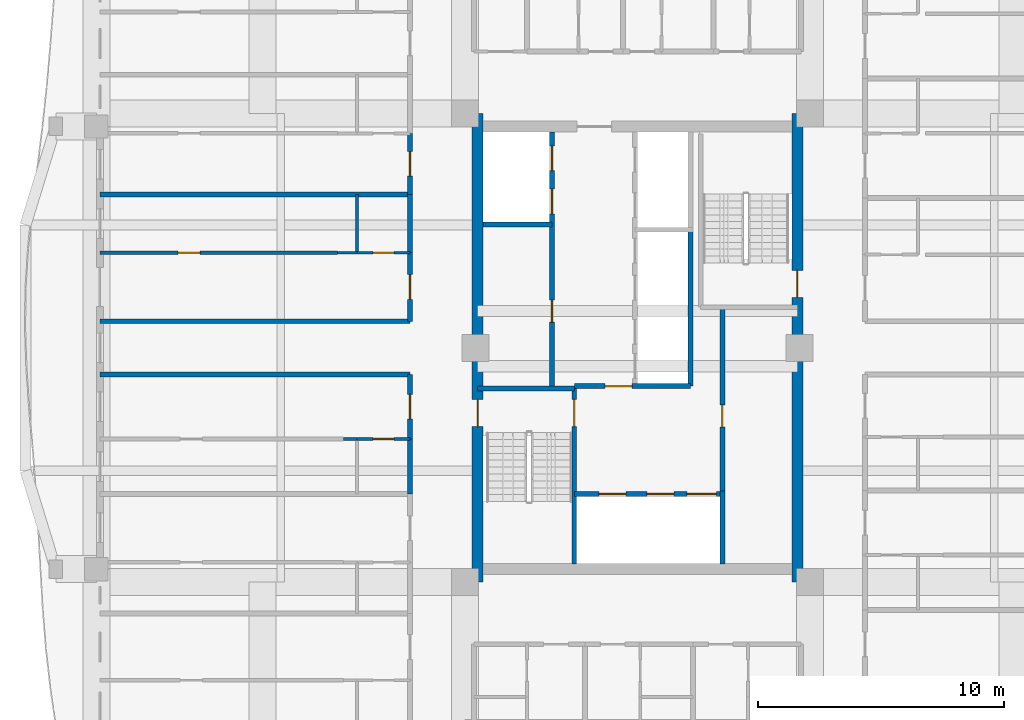
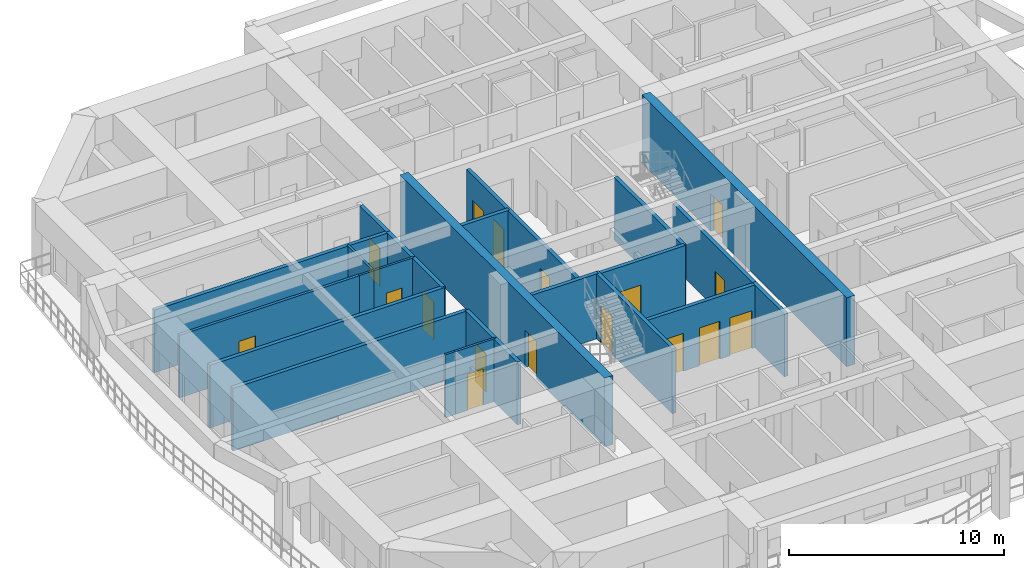
# One storey, part 4 of 15: 25 walls, 17 doors, 17 openings.
"""IFC4 building model written with IfcOpenShell, lengths in metres."""

import ifcopenshell
import ifcopenshell.guid

model = None  # the IFC model being written
_history = None  # IfcOwnerHistory: only IFC2X3 demands one
_inside = {}  # id of a spatial element -> (the spatial element, [elements in it])
_under = {}  # id of a project, library or spatial element -> (it, [spatial elements below it])
_declared = {}  # id of a project -> (the project, [libraries it declares])
_typed = {}  # id of a type object -> (the type object, [elements of that type])
_made_of = {}  # id of a material, layer set ... -> (it, [elements and type objects made of it])


def new_model(schema):
    """Start an empty IFC model of exactly this schema.

    Asked for "IFC4X3", IfcOpenShell would pick the latest addendum, in which some entities
    have other attributes; the version numbers below select the first issue.
    IFC2X3 requires an IfcOwnerHistory on every rooted entity: one is made here for all.
    """
    global model, _history
    if schema == "IFC4X3":
        model = ifcopenshell.file(schema_version=(4, 3, 0, 0))
    else:
        model = ifcopenshell.file(schema=schema)
    _inside.clear()
    _under.clear()
    _declared.clear()
    _typed.clear()
    _made_of.clear()
    _history = None
    if model.schema == "IFC2X3":
        org = make("IfcOrganization", Name="unknown")
        user = make(
            "IfcPersonAndOrganization",
            ThePerson=make("IfcPerson", FamilyName="unknown"),
            TheOrganization=org,
        )
        app = make(
            "IfcApplication",
            ApplicationDeveloper=org,
            Version="unknown",
            ApplicationFullName="unknown",
            ApplicationIdentifier="unknown",
        )
        _history = make(
            "IfcOwnerHistory",
            OwningUser=user,
            OwningApplication=app,
            ChangeAction="ADDED",
            CreationDate=0,
        )
    return model


def make(cls, **values):
    """One entity of the class cls with the attributes given. An attribute that is None is left unset."""
    return model.create_entity(
        cls, **{name: value for name, value in values.items() if value is not None}
    )


def rooted(cls, **values):
    """An entity with a GlobalId (a new one), such as an element, a storey or a relation."""
    return make(cls, GlobalId=ifcopenshell.guid.new(), OwnerHistory=_history, **values)


def si_unit(unit_type, name, prefix=None):
    """IfcSIUnit, for example si_unit("LENGTHUNIT", "METRE", prefix="MILLI")."""
    return make("IfcSIUnit", UnitType=unit_type, Prefix=prefix, Name=name)


def assignment(units):
    """IfcUnitAssignment: the units of a project."""
    return None if units is None else make("IfcUnitAssignment", Units=units)


def point(xyz):
    """IfcCartesianPoint."""
    return None if xyz is None else make("IfcCartesianPoint", Coordinates=xyz)


def direction(xyz):
    """IfcDirection."""
    return None if xyz is None else make("IfcDirection", DirectionRatios=xyz)


def frame(location, z_axis=None, x_axis=None):
    """IfcAxis2Placement3D, a coordinate frame: its origin and axes. An axis left out is left unset."""
    return make(
        "IfcAxis2Placement3D",
        Location=point(location),
        Axis=direction(z_axis),
        RefDirection=direction(x_axis),
    )


def frame_2d(location, x_axis=None):
    """IfcAxis2Placement2D, a coordinate frame in the plane: its origin and x axis."""
    return make(
        "IfcAxis2Placement2D", Location=point(location), RefDirection=direction(x_axis)
    )


def origin():
    """The frame at (0, 0, 0) with its axes left unset."""
    return frame((0.0, 0.0, 0.0))


def place(relative_to, where):
    """IfcLocalPlacement: puts the frame where relative to a parent placement (None: the world)."""
    return make(
        "IfcLocalPlacement", PlacementRelTo=relative_to, RelativePlacement=where
    )


def context(
    kind, dimensions, precision=None, world=None, true_north=None, identifier=None
):
    """IfcGeometricRepresentationContext, for example the 3D "Model" context."""
    return make(
        "IfcGeometricRepresentationContext",
        ContextIdentifier=identifier,
        ContextType=kind,
        CoordinateSpaceDimension=dimensions,
        Precision=precision,
        WorldCoordinateSystem=world,
        TrueNorth=true_north,
    )


def subcontext(parent, identifier, kind, view, scale=None):
    """IfcGeometricRepresentationSubContext, for example "Body" below "Model"."""
    return make(
        "IfcGeometricRepresentationSubContext",
        ContextIdentifier=identifier,
        ContextType=kind,
        ParentContext=parent,
        TargetScale=scale,
        TargetView=view,
    )


def project(units=None, contexts=None):
    """IfcProject with its units and contexts."""
    return rooted(
        "IfcProject",
        Name="project",
        RepresentationContexts=contexts,
        UnitsInContext=assignment(units),
    )


def spatial(cls, under=None, at=None, **own):
    """A site, building, storey or space (cls), placed at a placement, below another one or the project."""
    s = rooted(cls, ObjectPlacement=at, **own)
    if under is not None:
        _under.setdefault(under.id(), (under, []))[1].append(s)
    return s


def profile(cls, at=None, kind="AREA", **sizes):
    """A parametric profile (cls). Its sizes go by their IFC names, for example OverallWidth=200.0."""
    return make(cls, ProfileType=kind, Position=at, **sizes)


def rectangle(**sizes):
    """IfcRectangleProfileDef."""
    return profile("IfcRectangleProfileDef", **sizes)


def extrude(swept, where, along, depth):
    """IfcExtrudedAreaSolid: the profile swept, set in the frame where, extruded along a direction by depth."""
    return make(
        "IfcExtrudedAreaSolid",
        SweptArea=swept,
        Position=where,
        ExtrudedDirection=direction(along),
        Depth=depth,
    )


def shape(context_of_items, identifier, shape_type, items):
    """IfcShapeRepresentation: the items that make up one representation, for example the "Body"."""
    return make(
        "IfcShapeRepresentation",
        ContextOfItems=context_of_items,
        RepresentationIdentifier=identifier,
        RepresentationType=shape_type,
        Items=items,
    )


def source(mapping_origin, context_of_items, identifier, shape_type, items):
    """IfcRepresentationMap: a shape defined once, which mapped items show again and again."""
    return make(
        "IfcRepresentationMap",
        MappingOrigin=mapping_origin,
        MappedRepresentation=shape(context_of_items, identifier, shape_type, items),
    )


def transform(
    local_origin,
    x_axis=None,
    y_axis=None,
    z_axis=None,
    scale=None,
    scale2=None,
    scale3=None,
    uniform=True,
):
    """IfcCartesianTransformationOperator3D, or its non-uniform kind. x_axis, y_axis, z_axis: its Axis1, 2, 3."""
    if uniform:
        return make(
            "IfcCartesianTransformationOperator3D",
            Axis1=direction(x_axis),
            Axis2=direction(y_axis),
            LocalOrigin=point(local_origin),
            Scale=scale,
            Axis3=direction(z_axis),
        )
    return make(
        "IfcCartesianTransformationOperator3DnonUniform",
        Axis1=direction(x_axis),
        Axis2=direction(y_axis),
        LocalOrigin=point(local_origin),
        Scale=scale,
        Axis3=direction(z_axis),
        Scale2=scale2,
        Scale3=scale3,
    )


def mapped(mapping_source, mapping_target):
    """IfcMappedItem: shows the shape of a source again, moved by a transform."""
    return make(
        "IfcMappedItem", MappingSource=mapping_source, MappingTarget=mapping_target
    )


def material(Name=None, Category=None):
    """IfcMaterial."""
    return make("IfcMaterial", Name=Name, Category=Category)


def layer(
    of_material, thickness, ventilated=None, Name=None, Category=None, Priority=None
):
    """IfcMaterialLayer: one layer of a wall or slab, of a material (None: an air gap)."""
    return make(
        "IfcMaterialLayer",
        Material=of_material,
        LayerThickness=thickness,
        IsVentilated=ventilated,
        Name=Name,
        Category=Category,
        Priority=Priority,
    )


def layer_set(layers, Name=None):
    """IfcMaterialLayerSet."""
    return make("IfcMaterialLayerSet", MaterialLayers=layers, LayerSetName=Name)


def made_of(thing, what):
    """Note that an element or type object is made of a material, layer set ...; save() writes the relation."""
    if what is not None:
        _made_of.setdefault(what.id(), (what, []))[1].append(thing)
    return thing


def type_object(cls, material=None, **own):
    """A type object (cls), such as IfcWallType, which elements share."""
    return made_of(rooted(cls, **own), material)


def element(
    cls,
    number,
    at=None,
    inside=None,
    cuts=None,
    type_object=None,
    material=None,
    context=None,
    identifier="Body",
    shape_type=None,
    held_by="IfcProductDefinitionShape",
    body=None,
    shapes=None,
    **own,
):
    """One element of the class cls, such as IfcWall. Its Tag is "e" and its number.

    at: its placement. inside: the storey or other place that contains it. cuts: it is an
    opening in that element (IfcRelVoidsElement). A single representation is given by context,
    identifier, shape_type and body (its items); several are given by shapes. held_by: the class
    of the entity that holds the representations. save() writes the other relations.
    """
    e = rooted(cls, Tag="e%d" % number, ObjectPlacement=at, **own)
    if body is not None:
        shapes = [shape(context, identifier, shape_type, body)]
    if shapes is not None:
        e.Representation = make(held_by, Representations=shapes)
    if inside is not None:
        _inside.setdefault(inside.id(), (inside, []))[1].append(e)
    if cuts is not None:
        rooted(
            "IfcRelVoidsElement", RelatingBuildingElement=cuts, RelatedOpeningElement=e
        )
    if type_object is not None:
        _typed.setdefault(type_object.id(), (type_object, []))[1].append(e)
    return made_of(e, material)


def fill(opening, filler):
    """IfcRelFillsElement: the door or window that sits in an opening."""
    return rooted(
        "IfcRelFillsElement",
        RelatingOpeningElement=opening,
        RelatedBuildingElement=filler,
    )


def aggregate(whole, parts):
    """IfcRelAggregates: a whole, such as a stair, and the parts it consists of."""
    return rooted("IfcRelAggregates", RelatingObject=whole, RelatedObjects=parts)


def save(model, path):
    """Write the relations noted so far, then the file.

    IfcRelAggregates (storeys below a building ...), IfcRelContainedInSpatialStructure (elements
    in a storey), IfcRelDefinesByType, IfcRelAssociatesMaterial and IfcRelDeclares: one each for
    every whole, place, type object, material and project.
    """
    for whole, parts in _under.values():
        aggregate(whole, parts)
    for where, things in _inside.values():
        rooted(
            "IfcRelContainedInSpatialStructure",
            RelatedElements=things,
            RelatingStructure=where,
        )
    for kind, things in _typed.values():
        rooted("IfcRelDefinesByType", RelatedObjects=things, RelatingType=kind)
    for what, things in _made_of.values():
        rooted("IfcRelAssociatesMaterial", RelatedObjects=things, RelatingMaterial=what)
    for by, libraries in _declared.values():
        rooted("IfcRelDeclares", RelatingContext=by, RelatedDefinitions=libraries)
    model.write(path)


model = new_model("IFC4")

# Units and contexts
model_context = context("Model", 3, precision=1e-05, world=origin(), true_north=direction((0.0, 1.0)))
body_context = subcontext(model_context, "Body", "Model", "MODEL_VIEW")
ifc_project = project(units=[si_unit("LENGTHUNIT", "METRE"), si_unit("AREAUNIT", "SQUARE_METRE"), si_unit("VOLUMEUNIT", "CUBIC_METRE"), si_unit("PLANEANGLEUNIT", "RADIAN"), si_unit("MASSUNIT", "GRAM", prefix="KILO")], contexts=[model_context])

# Site, building, storey
site_placement = place(None, origin())
site = spatial("IfcSite", under=ifc_project, at=site_placement, CompositionType="ELEMENT")
building_placement = place(site_placement, origin())
building = spatial("IfcBuilding", under=site, at=building_placement, Name="Saelheon Loggia Tower", CompositionType="ELEMENT")
storey_placement = place(building_placement, frame((0.0, 0.0, 169.0)))
storey = spatial("IfcBuildingStorey", under=building, at=storey_placement, Name="L53", CompositionType="ELEMENT", Elevation=169.0)

# Wall, opening, door
ifc_material_1 = material(Name="Concrete C45/55", Category="concrete")
ifc_layer_1 = layer(ifc_material_1, 0.449951171875)
ifc_layer_set_1 = layer_set([ifc_layer_1], Name="Concrete C45/55")
wall_type_1 = type_object("IfcWallType", Name="Wall_CoreShear_450", PredefinedType="SHEAR", material=ifc_layer_set_1)
wall_1_placement = place(storey_placement, frame((31.5, 17.47998046875, 0.0), z_axis=(0.0, 0.0, 1.0), x_axis=(0.0, 1.0, 0.0)))
wall_1 = element("IfcWall", 1, at=wall_1_placement, inside=storey, type_object=wall_type_1, Name="L53 Core Shear Wall West", PredefinedType="SHEAR", context=body_context, shape_type="SweptSolid", body=[
    extrude(rectangle(XDim=19.0400390625, YDim=0.449951171875, at=frame_2d((9.52001953125, 0.0))), origin(), (0.0, 0.0, 1.0), 3.89990234375),
])
opening_1_placement = place(wall_1_placement, frame((6.320068359375, 0.0, 0.0)))
opening_1 = element("IfcOpeningElement", 2, at=opening_1_placement, cuts=wall_1, Name="Opening D-FD2", PredefinedType="OPENING", context=body_context, shape_type="SweptSolid", body=[
    extrude(rectangle(XDim=1.10009765625, YDim=2.14990234375, at=frame_2d((0.550048828125, 1.074951171875))), frame((0.0, 0.237060546875, 0.0), z_axis=(0.0, -1.0, 0.0), x_axis=(1.0, 0.0, 0.0)), (0.0, 0.0, 1.0), 0.473876953125),
])
ifc_material_2 = material(Name="Galvanised Steel Fire Door", Category="steel")
door_type_1 = type_object("IfcDoorType", Name="Door_Fire_FD60_1100", OperationType="NOTDEFINED", PredefinedType="DOOR", material=ifc_material_2)
shared_shape_1 = source(origin(), body_context, "Body", "SweptSolid", [
    extrude(rectangle(XDim=1.10009765625, YDim=2.14990234375, at=frame_2d((0.550048828125, 1.074951171875))), frame((0.0, 0.02490234375, 0.0), z_axis=(0.0, -1.0, 0.0), x_axis=(1.0, 0.0, 0.0)), (0.0, 0.0, 1.0), 0.050048828125),
])
door_1_placement = place(opening_1_placement, origin())
door_1 = element("IfcDoor", 3, at=door_1_placement, inside=storey, type_object=door_type_1, Name="L53 Stair ST1 Corridor Door", OperationType="SINGLE_SWING_LEFT", OverallHeight=2.14990234375, OverallWidth=1.10009765625, PredefinedType="DOOR", context=body_context, shape_type="MappedRepresentation", body=[
    mapped(shared_shape_1, transform((0.0, 0.0, 0.0), scale=1.0)),
])
fill(opening_1, door_1)

wall_2_placement = place(storey_placement, frame((44.5, 17.47998046875, 0.0), z_axis=(0.0, 0.0, 1.0), x_axis=(0.0, 1.0, 0.0)))
wall_2 = element("IfcWall", 4, at=wall_2_placement, inside=storey, type_object=wall_type_1, Name="L53 Core Shear Wall East", PredefinedType="SHEAR", context=body_context, shape_type="SweptSolid", body=[
    extrude(rectangle(XDim=19.0400390625, YDim=0.449951171875, at=frame_2d((9.52001953125, 0.0))), origin(), (0.0, 0.0, 1.0), 3.89990234375),
])
opening_2_placement = place(wall_2_placement, frame((12.670166015625, 0.0, 0.0), z_axis=(0.0, 0.0, 1.0), x_axis=(-1.0, 0.0, 0.0)))
opening_2 = element("IfcOpeningElement", 5, at=opening_2_placement, cuts=wall_2, Name="Opening D-FD2", PredefinedType="OPENING", context=body_context, shape_type="SweptSolid", body=[
    extrude(rectangle(XDim=1.10009765625, YDim=2.14990234375, at=frame_2d((0.550048828125, 1.074951171875))), frame((0.0, 0.237060546875, 0.0), z_axis=(0.0, -1.0, 0.0), x_axis=(1.0, 0.0, 0.0)), (0.0, 0.0, 1.0), 0.473876953125),
])
door_2_placement = place(opening_2_placement, origin())
door_2 = element("IfcDoor", 6, at=door_2_placement, inside=storey, type_object=door_type_1, Name="L53 Stair ST2 Corridor Door", OperationType="SINGLE_SWING_RIGHT", OverallHeight=2.14990234375, OverallWidth=1.10009765625, PredefinedType="DOOR", context=body_context, shape_type="MappedRepresentation", body=[
    mapped(shared_shape_1, transform((0.0, 0.0, 0.0), scale=1.0)),
])
fill(opening_2, door_2)

ifc_material_3 = material(Name="Lightweight Autoclaved Aerated Concrete Block and Acoustic Gypsum", Category="concrete")
ifc_layer_2 = layer(ifc_material_3, 0.14990234375)
ifc_layer_set_2 = layer_set([ifc_layer_2], Name="Lightweight Autoclaved Aerated Concrete Block and Acoustic Gypsum")
wall_type_2 = type_object("IfcWallType", Name="Wall_Part_150", PredefinedType="PARTITIONING", material=ifc_layer_set_2)
wall_3_placement = place(storey_placement, frame((25.81005859375, 30.865966796875, 0.0), z_axis=(0.0, 0.0, 1.0), x_axis=(-1.0, 0.0, 0.0)))
wall_3 = element("IfcWall", 7, at=wall_3_placement, inside=storey, type_object=wall_type_2, Name="L53 WN Partition U08", PredefinedType="PARTITIONING", context=body_context, shape_type="SweptSolid", body=[
    extrude(rectangle(XDim=9.66015625, YDim=0.14990234375, at=frame_2d((4.830078125, 0.0))), origin(), (0.0, 0.0, 1.0), 3.56005859375),
])
opening_3_placement = place(wall_3_placement, frame((5.58740234375, 0.0, 0.0)))
opening_3 = element("IfcOpeningElement", 8, at=opening_3_placement, cuts=wall_3, Name="Opening D-IN2", PredefinedType="OPENING", context=body_context, shape_type="SweptSolid", body=[
    extrude(rectangle(XDim=0.89990234375, YDim=2.10009765625, at=frame_2d((0.449951171875, 1.050048828125))), frame((0.0, 0.0869140625, 0.0), z_axis=(0.0, -1.0, 0.0), x_axis=(1.0, 0.0, 0.0)), (0.0, 0.0, 1.0), 0.173828125),
])
ifc_material_4 = material(Name="Engineered Oak Flush Door", Category="timber")
door_type_2 = type_object("IfcDoorType", Name="Door_Int_900", OperationType="NOTDEFINED", PredefinedType="DOOR", material=ifc_material_4)
shared_shape_2 = source(origin(), body_context, "Body", "SweptSolid", [
    extrude(rectangle(XDim=0.89990234375, YDim=2.10009765625, at=frame_2d((0.449951171875, 1.050048828125))), frame((0.0, 0.02490234375, 0.0), z_axis=(0.0, -1.0, 0.0), x_axis=(1.0, 0.0, 0.0)), (0.0, 0.0, 1.0), 0.050048828125),
])
door_3_placement = place(opening_3_placement, origin())
door_3 = element("IfcDoor", 9, at=door_3_placement, inside=storey, type_object=door_type_2, Name="Unit U10 Kitchen Door", OperationType="SINGLE_SWING_RIGHT", OverallHeight=2.10009765625, OverallWidth=0.89990234375, PredefinedType="DOOR", context=body_context, shape_type="MappedRepresentation", body=[
    mapped(shared_shape_2, transform((0.0, 0.0, 0.0), scale=1.0)),
])
fill(opening_3, door_3)

# Walls
ifc_material_5 = material(Name="Double Acoustic Stud and Fireboard Partition", Category="gypsum")
ifc_layer_3 = layer(ifc_material_5, 0.199951171875)
ifc_layer_set_3 = layer_set([ifc_layer_3], Name="Double Acoustic Stud and Fireboard Partition")
wall_type_3 = type_object("IfcWallType", Name="Wall_Party_200", PredefinedType="PARTITIONING", material=ifc_layer_set_3)
wall_4_placement = place(storey_placement, frame((28.75, 25.919921875, 0.0), z_axis=(0.0, 0.0, 1.0), x_axis=(-1.0, 0.0, 0.0)))
element("IfcWall", 10, at=wall_4_placement, inside=storey, type_object=wall_type_3, Name="L53 WS Partition U02", PredefinedType="PARTITIONING", context=body_context, shape_type="SweptSolid", body=[
    extrude(rectangle(XDim=12.60009765625, YDim=0.199951171875, at=frame_2d((6.300048828125, 0.0))), origin(), (0.0, 0.0, 1.0), 3.56005859375),
])
wall_5_placement = place(storey_placement, frame((28.75, 21.055908203125, 0.0), z_axis=(0.0, 0.0, 1.0), x_axis=(0.0, 1.0, 0.0)))
element("IfcWall", 11, at=wall_5_placement, inside=storey, type_object=wall_type_3, Name="L53 WS Partition V17", PredefinedType="PARTITIONING", context=body_context, shape_type="SweptSolid", body=[
    extrude(rectangle(XDim=2.2373046875, YDim=0.199951171875, at=frame_2d((1.11865234375, 0.0))), origin(), (0.0, 0.0, 1.0), 3.56005859375),
])

# Wall, opening, door
wall_6_placement = place(storey_placement, frame((28.75, 23.293212890625, 0.0), z_axis=(0.0, 0.0, 1.0), x_axis=(0.0, 1.0, 0.0)))
wall_6 = element("IfcWall", 12, at=wall_6_placement, inside=storey, type_object=wall_type_3, Name="L53 WS Partition V18", PredefinedType="PARTITIONING", context=body_context, shape_type="SweptSolid", body=[
    extrude(rectangle(XDim=2.626708984375, YDim=0.199951171875, at=frame_2d((1.3134765625, 0.0))), origin(), (0.0, 0.0, 1.0), 3.56005859375),
])
opening_4_placement = place(wall_6_placement, frame((0.8134765625, 0.0, 0.0)))
opening_4 = element("IfcOpeningElement", 13, at=opening_4_placement, cuts=wall_6, Name="Opening D-FD1", PredefinedType="OPENING", context=body_context, shape_type="SweptSolid", body=[
    extrude(rectangle(XDim=1.0, YDim=2.14990234375, at=frame_2d((0.5, 1.074951171875))), frame((0.0, 0.112060546875, 0.0), z_axis=(0.0, -1.0, 0.0), x_axis=(1.0, 0.0, 0.0)), (0.0, 0.0, 1.0), 0.223876953125),
])
ifc_material_6 = material(Name="Fire-Rated Engineered Timber Entrance Door", Category="wood")
door_type_3 = type_object("IfcDoorType", Name="Door_Flat_FD30S", OperationType="NOTDEFINED", PredefinedType="DOOR", material=ifc_material_6)
shared_shape_3 = source(origin(), body_context, "Body", "SweptSolid", [
    extrude(rectangle(XDim=1.0, YDim=2.14990234375, at=frame_2d((0.5, 1.074951171875))), frame((0.0, 0.02490234375, 0.0), z_axis=(0.0, -1.0, 0.0), x_axis=(1.0, 0.0, 0.0)), (0.0, 0.0, 1.0), 0.050048828125),
])
door_4_placement = place(opening_4_placement, origin())
door_4 = element("IfcDoor", 14, at=door_4_placement, inside=storey, type_object=door_type_3, Name="Unit U09 Entrance Door", OperationType="SINGLE_SWING_LEFT", OverallHeight=2.14990234375, OverallWidth=1.0, PredefinedType="DOOR", context=body_context, shape_type="MappedRepresentation", body=[
    mapped(shared_shape_3, transform((0.0, 0.0, 0.0), scale=1.0)),
])
fill(opening_4, door_4)

# Wall
wall_7_placement = place(storey_placement, frame((28.75, 28.080078125, 0.0), z_axis=(0.0, 0.0, 1.0), x_axis=(-1.0, 0.0, 0.0)))
element("IfcWall", 15, at=wall_7_placement, inside=storey, type_object=wall_type_3, Name="L53 WN Partition U01", PredefinedType="PARTITIONING", context=body_context, shape_type="SweptSolid", body=[
    extrude(rectangle(XDim=12.60009765625, YDim=0.199951171875, at=frame_2d((6.300048828125, 0.0))), origin(), (0.0, 0.0, 1.0), 3.56005859375),
])

# Wall, opening, door
wall_8_placement = place(storey_placement, frame((28.75, 28.080078125, 0.0), z_axis=(0.0, 0.0, 1.0), x_axis=(0.0, 1.0, 0.0)))
wall_8 = element("IfcWall", 16, at=wall_8_placement, inside=storey, type_object=wall_type_3, Name="L53 WN Partition V03", PredefinedType="PARTITIONING", context=body_context, shape_type="SweptSolid", body=[
    extrude(rectangle(XDim=2.785888671875, YDim=0.199951171875, at=frame_2d((1.39306640625, 0.0))), origin(), (0.0, 0.0, 1.0), 3.56005859375),
])
opening_5_placement = place(wall_8_placement, frame((0.89306640625, 0.0, 0.0)))
opening_5 = element("IfcOpeningElement", 17, at=opening_5_placement, cuts=wall_8, Name="Opening D-FD1", PredefinedType="OPENING", context=body_context, shape_type="SweptSolid", body=[
    extrude(rectangle(XDim=1.0, YDim=2.14990234375, at=frame_2d((0.5, 1.074951171875))), frame((0.0, 0.112060546875, 0.0), z_axis=(0.0, -1.0, 0.0), x_axis=(1.0, 0.0, 0.0)), (0.0, 0.0, 1.0), 0.223876953125),
])
door_5_placement = place(opening_5_placement, origin())
door_5 = element("IfcDoor", 18, at=door_5_placement, inside=storey, type_object=door_type_3, Name="Unit U10 Entrance Door", OperationType="SINGLE_SWING_RIGHT", OverallHeight=2.14990234375, OverallWidth=1.0, PredefinedType="DOOR", context=body_context, shape_type="MappedRepresentation", body=[
    mapped(shared_shape_3, transform((0.0, 0.0, 0.0), scale=1.0)),
])
fill(opening_5, door_5)

# Walls
wall_9_placement = place(storey_placement, frame((28.75, 30.865966796875, 0.0), z_axis=(0.0, 0.0, 1.0), x_axis=(0.0, 1.0, 0.0)))
element("IfcWall", 19, at=wall_9_placement, inside=storey, type_object=wall_type_3, Name="L53 WN Partition V04", PredefinedType="PARTITIONING", context=body_context, shape_type="SweptSolid", body=[
    extrude(rectangle(XDim=2.373046875, YDim=0.199951171875, at=frame_2d((1.1865234375, 0.0))), origin(), (0.0, 0.0, 1.0), 3.56005859375),
])
wall_10_placement = place(storey_placement, frame((28.75, 33.239013671875, 0.0), z_axis=(0.0, 0.0, 1.0), x_axis=(-1.0, 0.0, 0.0)))
element("IfcWall", 20, at=wall_10_placement, inside=storey, type_object=wall_type_3, Name="L53 WN Partition U09", PredefinedType="PARTITIONING", context=body_context, shape_type="SweptSolid", body=[
    extrude(rectangle(XDim=12.60009765625, YDim=0.199951171875, at=frame_2d((6.300048828125, 0.0))), origin(), (0.0, 0.0, 1.0), 3.56005859375),
])

# Wall, opening, door
wall_11_placement = place(storey_placement, frame((28.75, 33.239013671875, 0.0), z_axis=(0.0, 0.0, 1.0), x_axis=(0.0, 1.0, 0.0)))
wall_11 = element("IfcWall", 21, at=wall_11_placement, inside=storey, type_object=wall_type_3, Name="L53 WN Partition V10", PredefinedType="PARTITIONING", context=body_context, shape_type="SweptSolid", body=[
    extrude(rectangle(XDim=2.48095703125, YDim=0.199951171875, at=frame_2d((1.240478515625, 0.0))), origin(), (0.0, 0.0, 1.0), 3.56005859375),
])
opening_6_placement = place(wall_11_placement, frame((0.740478515625, 0.0, 0.0)))
opening_6 = element("IfcOpeningElement", 22, at=opening_6_placement, cuts=wall_11, Name="Opening D-FD1", PredefinedType="OPENING", context=body_context, shape_type="SweptSolid", body=[
    extrude(rectangle(XDim=1.0, YDim=2.14990234375, at=frame_2d((0.5, 1.074951171875))), frame((0.0, 0.112060546875, 0.0), z_axis=(0.0, -1.0, 0.0), x_axis=(1.0, 0.0, 0.0)), (0.0, 0.0, 1.0), 0.223876953125),
])
door_6_placement = place(opening_6_placement, origin())
door_6 = element("IfcDoor", 23, at=door_6_placement, inside=storey, type_object=door_type_3, Name="Unit U11 Entrance Door", OperationType="SINGLE_SWING_LEFT", OverallHeight=2.14990234375, OverallWidth=1.0, PredefinedType="DOOR", context=body_context, shape_type="MappedRepresentation", body=[
    mapped(shared_shape_3, transform((0.0, 0.0, 0.0), scale=1.0)),
])
fill(opening_6, door_6)

# Wall
ifc_material_7 = material(Name="Concrete C40/50", Category="concrete")
ifc_layer_4 = layer(ifc_material_7, 0.199951171875)
ifc_layer_set_4 = layer_set([ifc_layer_4], Name="Concrete C40/50")
wall_type_4 = type_object("IfcWallType", Name="Wall_Shaft_200", PredefinedType="PARTITIONING", material=ifc_layer_set_4)
wall_12_placement = place(storey_placement, frame((41.449951171875, 18.219970703125, 0.0), z_axis=(0.0, 0.0, 1.0), x_axis=(0.0, 1.0, 0.0)))
element("IfcWall", 24, at=wall_12_placement, inside=storey, type_object=wall_type_4, Name="CW-INT-L53-BOH-W0", PredefinedType="PARTITIONING", context=body_context, shape_type="SweptSolid", body=[
    extrude(rectangle(XDim=2.9599609375, YDim=0.199951171875, at=frame_2d((1.47998046875, 0.0))), origin(), (0.0, 0.0, 1.0), 3.56005859375),
])

# Wall, opening, door
wall_13_placement = place(storey_placement, frame((41.449951171875, 21.179931640625, 0.0), z_axis=(0.0, 0.0, 1.0), x_axis=(0.0, 1.0, 0.0)))
wall_13 = element("IfcWall", 25, at=wall_13_placement, inside=storey, type_object=wall_type_4, Name="CW-INT-L53-BOH-W1", PredefinedType="PARTITIONING", context=body_context, shape_type="SweptSolid", body=[
    extrude(rectangle(XDim=7.420166015625, YDim=0.199951171875, at=frame_2d((3.7099609375, 0.0))), origin(), (0.0, 0.0, 1.0), 3.56005859375),
])
opening_7_placement = place(wall_13_placement, frame((2.60009765625, 0.0, 0.0)))
opening_7 = element("IfcOpeningElement", 26, at=opening_7_placement, cuts=wall_13, Name="Opening D-RS1", PredefinedType="OPENING", context=body_context, shape_type="SweptSolid", body=[
    extrude(rectangle(XDim=0.89990234375, YDim=2.10009765625, at=frame_2d((0.449951171875, 1.050048828125))), frame((0.0, 0.112060546875, 0.0), z_axis=(0.0, -1.0, 0.0), x_axis=(1.0, 0.0, 0.0)), (0.0, 0.0, 1.0), 0.223876953125),
])
ifc_material_8 = material(Name="Galvanised Steel Riser Access Door", Category="steel")
door_type_4 = type_object("IfcDoorType", Name="Door_Riser_FD60", OperationType="NOTDEFINED", PredefinedType="DOOR", material=ifc_material_8)
door_7_placement = place(opening_7_placement, origin())
door_7 = element("IfcDoor", 27, at=door_7_placement, inside=storey, type_object=door_type_4, Name="L53 Core Service Store Door", OperationType="SINGLE_SWING_RIGHT", OverallHeight=2.10009765625, OverallWidth=0.89990234375, PredefinedType="DOOR", context=body_context, shape_type="MappedRepresentation", body=[
    mapped(shared_shape_2, transform((0.0, 0.0, 0.0), scale=1.0)),
])
fill(opening_7, door_7)

# Wall
wall_14_placement = place(storey_placement, frame((40.14990234375, 25.43994140625, 0.0), z_axis=(0.0, 0.0, 1.0), x_axis=(0.0, 1.0, 0.0)))
element("IfcWall", 28, at=wall_14_placement, inside=storey, type_object=wall_type_4, Name="L53 Core Service Passage West Wall", PredefinedType="PARTITIONING", context=body_context, shape_type="SweptSolid", body=[
    extrude(rectangle(XDim=6.360107421875, YDim=0.199951171875, at=frame_2d((3.18017578125, 0.0))), origin(), (0.0, 0.0, 1.0), 3.56005859375),
])

# Wall, openings, doors
wall_15_placement = place(storey_placement, frame((35.429931640625, 21.06005859375, 0.0), z_axis=(0.0, 0.0, 1.0), x_axis=(1.0, 0.0, 0.0)))
wall_15 = element("IfcWall", 29, at=wall_15_placement, inside=storey, type_object=wall_type_4, Name="L53 Firefighting Lift Shaft Front Wall", PredefinedType="PARTITIONING", context=body_context, shape_type="SweptSolid", body=[
    extrude(rectangle(XDim=6.02001953125, YDim=0.199951171875, at=frame_2d((3.010009765625, 0.0))), origin(), (0.0, 0.0, 1.0), 3.56005859375),
])
opening_8_placement = place(wall_15_placement, frame((1.0, 0.0, 0.0)))
opening_8 = element("IfcOpeningElement", 30, at=opening_8_placement, cuts=wall_15, Name="Opening LD2", PredefinedType="OPENING", context=body_context, shape_type="SweptSolid", body=[
    extrude(rectangle(XDim=1.10009765625, YDim=2.14990234375, at=frame_2d((0.550048828125, 1.074951171875))), frame((0.0, 0.112060546875, 0.0), z_axis=(0.0, -1.0, 0.0), x_axis=(1.0, 0.0, 0.0)), (0.0, 0.0, 1.0), 0.223876953125),
])
opening_9_placement = place(wall_15_placement, frame((2.949951171875, 0.0, 0.0)))
opening_9 = element("IfcOpeningElement", 31, at=opening_9_placement, cuts=wall_15, Name="Opening LD2", PredefinedType="OPENING", context=body_context, shape_type="SweptSolid", body=[
    extrude(rectangle(XDim=1.10009765625, YDim=2.14990234375, at=frame_2d((0.550048828125, 1.074951171875))), frame((0.0, 0.112060546875, 0.0), z_axis=(0.0, -1.0, 0.0), x_axis=(1.0, 0.0, 0.0)), (0.0, 0.0, 1.0), 0.223876953125),
])
opening_10_placement = place(wall_15_placement, frame((4.580078125, 0.0, 0.0)))
opening_10 = element("IfcOpeningElement", 32, at=opening_10_placement, cuts=wall_15, Name="Opening LD3", PredefinedType="OPENING", context=body_context, shape_type="SweptSolid", body=[
    extrude(rectangle(XDim=1.199951171875, YDim=2.14990234375, at=frame_2d((0.60009765625, 1.074951171875))), frame((0.0, 0.112060546875, 0.0), z_axis=(0.0, -1.0, 0.0), x_axis=(1.0, 0.0, 0.0)), (0.0, 0.0, 1.0), 0.223876953125),
])
ifc_material_9 = material(Name="Firefighting Stainless Steel 316 Landing Door", Category="steel")
door_type_5 = type_object("IfcDoorType", Name="Door_Lift_LD2", OperationType="DOUBLE_DOOR_SLIDING", PredefinedType="DOOR", material=ifc_material_9)
door_8_placement = place(opening_8_placement, origin())
door_8 = element("IfcDoor", 33, at=door_8_placement, inside=storey, type_object=door_type_5, Name="L53 FF1 Landing Door", OperationType="DOUBLE_DOOR_SLIDING", OverallHeight=2.14990234375, OverallWidth=1.10009765625, PredefinedType="DOOR", context=body_context, shape_type="MappedRepresentation", body=[
    mapped(shared_shape_1, transform((0.0, 0.0, 0.0), scale=1.0)),
])
fill(opening_8, door_8)
door_9_placement = place(opening_9_placement, origin())
door_9 = element("IfcDoor", 34, at=door_9_placement, inside=storey, type_object=door_type_5, Name="L53 FF2 Landing Door", OperationType="DOUBLE_DOOR_SLIDING", OverallHeight=2.14990234375, OverallWidth=1.10009765625, PredefinedType="DOOR", context=body_context, shape_type="MappedRepresentation", body=[
    mapped(shared_shape_1, transform((0.0, 0.0, 0.0), scale=1.0)),
])
fill(opening_9, door_9)
ifc_material_10 = material(Name="Stretcher Lift Stainless Steel 304 Landing Door", Category="steel")
door_type_6 = type_object("IfcDoorType", Name="Door_Lift_LD3", OperationType="DOUBLE_DOOR_SLIDING", PredefinedType="DOOR", material=ifc_material_10)
shared_shape_4 = source(origin(), body_context, "Body", "SweptSolid", [
    extrude(rectangle(XDim=1.199951171875, YDim=2.14990234375, at=frame_2d((0.60009765625, 1.074951171875))), frame((0.0, 0.02490234375, 0.0), z_axis=(0.0, -1.0, 0.0), x_axis=(1.0, 0.0, 0.0)), (0.0, 0.0, 1.0), 0.050048828125),
])
door_10_placement = place(opening_10_placement, origin())
door_10 = element("IfcDoor", 35, at=door_10_placement, inside=storey, type_object=door_type_6, Name="L53 SV1 Landing Door", OperationType="DOUBLE_DOOR_SLIDING", OverallHeight=2.14990234375, OverallWidth=1.199951171875, PredefinedType="DOOR", context=body_context, shape_type="MappedRepresentation", body=[
    mapped(shared_shape_4, transform((0.0, 0.0, 0.0), scale=1.0)),
])
fill(opening_10, door_10)

# Wall, opening, door
wall_16_placement = place(storey_placement, frame((35.429931640625, 25.43994140625, 0.0), z_axis=(0.0, 0.0, 1.0), x_axis=(1.0, 0.0, 0.0)))
wall_16 = element("IfcWall", 36, at=wall_16_placement, inside=storey, type_object=wall_type_4, Name="L53 Firefighting Lobby Compartment Wall", PredefinedType="PARTITIONING", context=body_context, shape_type="SweptSolid", body=[
    extrude(rectangle(XDim=4.719970703125, YDim=0.199951171875, at=frame_2d((2.35986328125, 0.0))), origin(), (0.0, 0.0, 1.0), 3.56005859375),
])
opening_11_placement = place(wall_16_placement, frame((1.25, 0.0, 0.0)))
opening_11 = element("IfcOpeningElement", 37, at=opening_11_placement, cuts=wall_16, Name="Opening D-FD2", PredefinedType="OPENING", context=body_context, shape_type="SweptSolid", body=[
    extrude(rectangle(XDim=1.10009765625, YDim=2.14990234375, at=frame_2d((0.550048828125, 1.074951171875))), frame((0.0, 0.112060546875, 0.0), z_axis=(0.0, -1.0, 0.0), x_axis=(1.0, 0.0, 0.0)), (0.0, 0.0, 1.0), 0.223876953125),
])
door_11_placement = place(opening_11_placement, origin())
door_11 = element("IfcDoor", 38, at=door_11_placement, inside=storey, type_object=door_type_1, Name="L53 Firefighting Lobby Door", OperationType="SINGLE_SWING_LEFT", OverallHeight=2.14990234375, OverallWidth=1.10009765625, PredefinedType="DOOR", context=body_context, shape_type="MappedRepresentation", body=[
    mapped(shared_shape_1, transform((0.0, 0.0, 0.0), scale=1.0)),
])
fill(opening_11, door_11)

# Wall, openings, doors
wall_17_placement = place(storey_placement, frame((34.52001953125, 25.43994140625, 0.0), z_axis=(0.0, 0.0, 1.0), x_axis=(0.0, 1.0, 0.0)))
wall_17 = element("IfcWall", 39, at=wall_17_placement, inside=storey, type_object=wall_type_4, Name="L53 West Passenger Lift Bank Wall", PredefinedType="PARTITIONING", context=body_context, shape_type="SweptSolid", body=[
    extrude(rectangle(XDim=10.340087890625, YDim=0.199951171875, at=frame_2d((5.169921875, 0.0))), origin(), (0.0, 0.0, 1.0), 3.56005859375),
])
opening_12_placement = place(wall_17_placement, frame((2.60009765625, 0.0, 0.0)))
opening_12 = element("IfcOpeningElement", 40, at=opening_12_placement, cuts=wall_17, Name="Opening D-RS1", PredefinedType="OPENING", context=body_context, shape_type="SweptSolid", body=[
    extrude(rectangle(XDim=0.89990234375, YDim=2.10009765625, at=frame_2d((0.449951171875, 1.050048828125))), frame((0.0, 0.112060546875, 0.0), z_axis=(0.0, -1.0, 0.0), x_axis=(1.0, 0.0, 0.0)), (0.0, 0.0, 1.0), 0.223876953125),
])
opening_13_placement = place(wall_17_placement, frame((7.010009765625, 0.0, 0.0)))
opening_13 = element("IfcOpeningElement", 41, at=opening_13_placement, cuts=wall_17, Name="Opening LD1", PredefinedType="OPENING", context=body_context, shape_type="SweptSolid", body=[
    extrude(rectangle(XDim=1.0, YDim=2.14990234375, at=frame_2d((0.5, 1.074951171875))), frame((0.0, 0.112060546875, 0.0), z_axis=(0.0, -1.0, 0.0), x_axis=(1.0, 0.0, 0.0)), (0.0, 0.0, 1.0), 0.223876953125),
])
opening_14_placement = place(wall_17_placement, frame((8.760009765625, 0.0, 0.0)))
opening_14 = element("IfcOpeningElement", 42, at=opening_14_placement, cuts=wall_17, Name="Opening LD1", PredefinedType="OPENING", context=body_context, shape_type="SweptSolid", body=[
    extrude(rectangle(XDim=1.0, YDim=2.14990234375, at=frame_2d((0.5, 1.074951171875))), frame((0.0, 0.112060546875, 0.0), z_axis=(0.0, -1.0, 0.0), x_axis=(1.0, 0.0, 0.0)), (0.0, 0.0, 1.0), 0.223876953125),
])
door_12_placement = place(opening_12_placement, origin())
door_12 = element("IfcDoor", 43, at=door_12_placement, inside=storey, type_object=door_type_4, Name="L53 Core Parcel Room Door", OperationType="SINGLE_SWING_LEFT", OverallHeight=2.10009765625, OverallWidth=0.89990234375, PredefinedType="DOOR", context=body_context, shape_type="MappedRepresentation", body=[
    mapped(shared_shape_2, transform((0.0, 0.0, 0.0), scale=1.0)),
])
fill(opening_12, door_12)
ifc_material_11 = material(Name="Brushed Stainless Steel 304 Landing Door", Category="steel")
door_type_7 = type_object("IfcDoorType", Name="Door_Lift_LD1", OperationType="DOUBLE_DOOR_SLIDING", PredefinedType="DOOR", material=ifc_material_11)
door_13_placement = place(opening_13_placement, origin())
door_13 = element("IfcDoor", 44, at=door_13_placement, inside=storey, type_object=door_type_7, Name="L53 PH1 Landing Door", OperationType="DOUBLE_DOOR_SLIDING", OverallHeight=2.14990234375, OverallWidth=1.0, PredefinedType="DOOR", context=body_context, shape_type="MappedRepresentation", body=[
    mapped(shared_shape_3, transform((0.0, 0.0, 0.0), scale=1.0)),
])
fill(opening_13, door_13)
door_14_placement = place(opening_14_placement, origin())
door_14 = element("IfcDoor", 45, at=door_14_placement, inside=storey, type_object=door_type_7, Name="L53 PH2 Landing Door", OperationType="DOUBLE_DOOR_SLIDING", OverallHeight=2.14990234375, OverallWidth=1.0, PredefinedType="DOOR", context=body_context, shape_type="MappedRepresentation", body=[
    mapped(shared_shape_3, transform((0.0, 0.0, 0.0), scale=1.0)),
])
fill(opening_14, door_14)

# Wall
wall_18_placement = place(storey_placement, frame((31.719970703125, 32.02001953125, 0.0), z_axis=(0.0, 0.0, 1.0), x_axis=(1.0, 0.0, 0.0)))
element("IfcWall", 46, at=wall_18_placement, inside=storey, type_object=wall_type_4, Name="L53 West High-Rise Shaft Divider", PredefinedType="PARTITIONING", context=body_context, shape_type="SweptSolid", body=[
    extrude(rectangle(XDim=2.800048828125, YDim=0.199951171875, at=frame_2d((1.39990234375, 0.0))), origin(), (0.0, 0.0, 1.0), 3.56005859375),
])

# Wall, opening, door
ifc_layer_5 = layer(ifc_material_1, 0.199951171875)
ifc_layer_set_5 = layer_set([ifc_layer_5], Name="Concrete C45/55")
wall_type_5 = type_object("IfcWallType", Name="Wall_StairShaft_RC200", PredefinedType="SOLIDWALL", material=ifc_layer_set_5)
wall_19_placement = place(storey_placement, frame((35.429931640625, 18.219970703125, 0.0), z_axis=(0.0, 0.0, 1.0), x_axis=(0.0, 1.0, 0.0)))
wall_19 = element("IfcWall", 47, at=wall_19_placement, inside=storey, type_object=wall_type_5, Name="L53 Stair ST1 Shaft Wall", PredefinedType="SOLIDWALL", context=body_context, shape_type="SweptSolid", body=[
    extrude(rectangle(XDim=7.219970703125, YDim=0.199951171875, at=frame_2d((3.60986328125, 0.0))), origin(), (0.0, 0.0, 1.0), 3.68994140625),
])
opening_15_placement = place(wall_19_placement, frame((6.68017578125, 0.0, 0.0), z_axis=(0.0, 0.0, 1.0), x_axis=(-1.0, 0.0, 0.0)))
opening_15 = element("IfcOpeningElement", 48, at=opening_15_placement, cuts=wall_19, Name="Opening D-FD2", PredefinedType="OPENING", context=body_context, shape_type="SweptSolid", body=[
    extrude(rectangle(XDim=1.10009765625, YDim=2.14990234375, at=frame_2d((0.550048828125, 1.074951171875))), frame((0.0, 0.112060546875, 0.0), z_axis=(0.0, -1.0, 0.0), x_axis=(1.0, 0.0, 0.0)), (0.0, 0.0, 1.0), 0.223876953125),
])
door_15_placement = place(opening_15_placement, origin())
door_15 = element("IfcDoor", 49, at=door_15_placement, inside=storey, type_object=door_type_1, Name="L53 Stair ST1 Lobby Door", OperationType="SINGLE_SWING_RIGHT", OverallHeight=2.14990234375, OverallWidth=1.10009765625, PredefinedType="DOOR", context=body_context, shape_type="MappedRepresentation", body=[
    mapped(shared_shape_1, transform((0.0, 0.0, 0.0), scale=1.0)),
])
fill(opening_15, door_15)

# Wall
wall_20_placement = place(storey_placement, frame((31.5, 25.35009765625, 0.0), z_axis=(0.0, 0.0, 1.0), x_axis=(1.0, 0.0, 0.0)))
element("IfcWall", 50, at=wall_20_placement, inside=storey, type_object=wall_type_5, Name="L53 Stair ST1 North Wall", PredefinedType="SOLIDWALL", context=body_context, shape_type="SweptSolid", body=[
    extrude(rectangle(XDim=3.929931640625, YDim=0.199951171875, at=frame_2d((1.96484375, 0.0))), origin(), (0.0, 0.0, 1.0), 3.68994140625),
])

# Wall, opening, door
ifc_material_12 = material(Name="Moisture-Resistant Cement Board Partition", Category="gypsum")
ifc_layer_6 = layer(ifc_material_12, 0.1201171875)
ifc_layer_set_6 = layer_set([ifc_layer_6], Name="Moisture-Resistant Cement Board Partition")
wall_type_6 = type_object("IfcWallType", Name="Wall_WetPart_120", PredefinedType="PARTITIONING", material=ifc_layer_set_6)
wall_21_placement = place(storey_placement, frame((28.75, 23.293212890625, 0.0), z_axis=(0.0, 0.0, 1.0), x_axis=(-1.0, 0.0, 0.0)))
wall_21 = element("IfcWall", 51, at=wall_21_placement, inside=storey, type_object=wall_type_6, Name="L53 WS Partition U19", PredefinedType="PARTITIONING", context=body_context, shape_type="SweptSolid", body=[
    extrude(rectangle(XDim=2.14990234375, YDim=0.1201171875, at=frame_2d((1.074951171875, 0.0))), origin(), (0.0, 0.0, 1.0), 3.56005859375),
])
opening_16_placement = place(wall_21_placement, frame((0.64990234375, 0.0, 0.0)))
opening_16 = element("IfcOpeningElement", 52, at=opening_16_placement, cuts=wall_21, Name="Opening D-BT1", PredefinedType="OPENING", context=body_context, shape_type="SweptSolid", body=[
    extrude(rectangle(XDim=0.85009765625, YDim=2.050048828125, at=frame_2d((0.425048828125, 1.02490234375))), frame((0.0, 0.072021484375, 0.0), z_axis=(0.0, -1.0, 0.0), x_axis=(1.0, 0.0, 0.0)), (0.0, 0.0, 1.0), 0.14404296875),
])
ifc_material_13 = material(Name="Moisture-Resistant Laminate Timber Door", Category="wood")
door_type_8 = type_object("IfcDoorType", Name="Door_Bath_850", OperationType="NOTDEFINED", PredefinedType="DOOR", material=ifc_material_13)
shared_shape_5 = source(origin(), body_context, "Body", "SweptSolid", [
    extrude(rectangle(XDim=0.85009765625, YDim=2.050048828125, at=frame_2d((0.425048828125, 1.02490234375))), frame((0.0, 0.02490234375, 0.0), z_axis=(0.0, -1.0, 0.0), x_axis=(1.0, 0.0, 0.0)), (0.0, 0.0, 1.0), 0.050048828125),
])
door_16_placement = place(opening_16_placement, origin())
door_16 = element("IfcDoor", 53, at=door_16_placement, inside=storey, type_object=door_type_8, Name="Unit U09 Bathroom Door", OperationType="SINGLE_SWING_RIGHT", OverallHeight=2.050048828125, OverallWidth=0.85009765625, PredefinedType="DOOR", context=body_context, shape_type="MappedRepresentation", body=[
    mapped(shared_shape_5, transform((0.0, 0.0, 0.0), scale=1.0)),
])
fill(opening_16, door_16)

# Wall
wall_22_placement = place(storey_placement, frame((26.60009765625, 23.293212890625, 0.0), z_axis=(0.0, 0.0, 1.0), x_axis=(-1.0, 0.0, 0.0)))
element("IfcWall", 54, at=wall_22_placement, inside=storey, type_object=wall_type_6, Name="L53 WS Partition U20", PredefinedType="PARTITIONING", context=body_context, shape_type="SweptSolid", body=[
    extrude(rectangle(XDim=0.550048828125, YDim=0.1201171875, at=frame_2d((0.27490234375, 0.0))), origin(), (0.0, 0.0, 1.0), 3.56005859375),
])

# Wall, opening, door
wall_23_placement = place(storey_placement, frame((28.75, 30.865966796875, 0.0), z_axis=(0.0, 0.0, 1.0), x_axis=(-1.0, 0.0, 0.0)))
wall_23 = element("IfcWall", 55, at=wall_23_placement, inside=storey, type_object=wall_type_6, Name="L53 WN Partition U05", PredefinedType="PARTITIONING", context=body_context, shape_type="SweptSolid", body=[
    extrude(rectangle(XDim=2.14990234375, YDim=0.1201171875, at=frame_2d((1.074951171875, 0.0))), origin(), (0.0, 0.0, 1.0), 3.56005859375),
])
opening_17_placement = place(wall_23_placement, frame((0.64990234375, 0.0, 0.0)))
opening_17 = element("IfcOpeningElement", 56, at=opening_17_placement, cuts=wall_23, Name="Opening D-BT1", PredefinedType="OPENING", context=body_context, shape_type="SweptSolid", body=[
    extrude(rectangle(XDim=0.85009765625, YDim=2.050048828125, at=frame_2d((0.425048828125, 1.02490234375))), frame((0.0, 0.072021484375, 0.0), z_axis=(0.0, -1.0, 0.0), x_axis=(1.0, 0.0, 0.0)), (0.0, 0.0, 1.0), 0.14404296875),
])
door_17_placement = place(opening_17_placement, origin())
door_17 = element("IfcDoor", 57, at=door_17_placement, inside=storey, type_object=door_type_8, Name="Unit U10 Bathroom Door", OperationType="SINGLE_SWING_LEFT", OverallHeight=2.050048828125, OverallWidth=0.85009765625, PredefinedType="DOOR", context=body_context, shape_type="MappedRepresentation", body=[
    mapped(shared_shape_5, transform((0.0, 0.0, 0.0), scale=1.0)),
])
fill(opening_17, door_17)

# Walls
wall_24_placement = place(storey_placement, frame((26.60009765625, 30.865966796875, 0.0), z_axis=(0.0, 0.0, 1.0), x_axis=(-1.0, 0.0, 0.0)))
element("IfcWall", 58, at=wall_24_placement, inside=storey, type_object=wall_type_6, Name="L53 WN Partition U06", PredefinedType="PARTITIONING", context=body_context, shape_type="SweptSolid", body=[
    extrude(rectangle(XDim=0.7900390625, YDim=0.1201171875, at=frame_2d((0.39501953125, 0.0))), origin(), (0.0, 0.0, 1.0), 3.56005859375),
])
wall_25_placement = place(storey_placement, frame((26.60009765625, 30.865966796875, 0.0), z_axis=(0.0, 0.0, 1.0), x_axis=(0.0, 1.0, 0.0)))
element("IfcWall", 59, at=wall_25_placement, inside=storey, type_object=wall_type_6, Name="L53 WN Partition V07", PredefinedType="PARTITIONING", context=body_context, shape_type="SweptSolid", body=[
    extrude(rectangle(XDim=2.373046875, YDim=0.1201171875, at=frame_2d((1.1865234375, 0.0))), origin(), (0.0, 0.0, 1.0), 3.56005859375),
])

save(model, "model.ifc")
